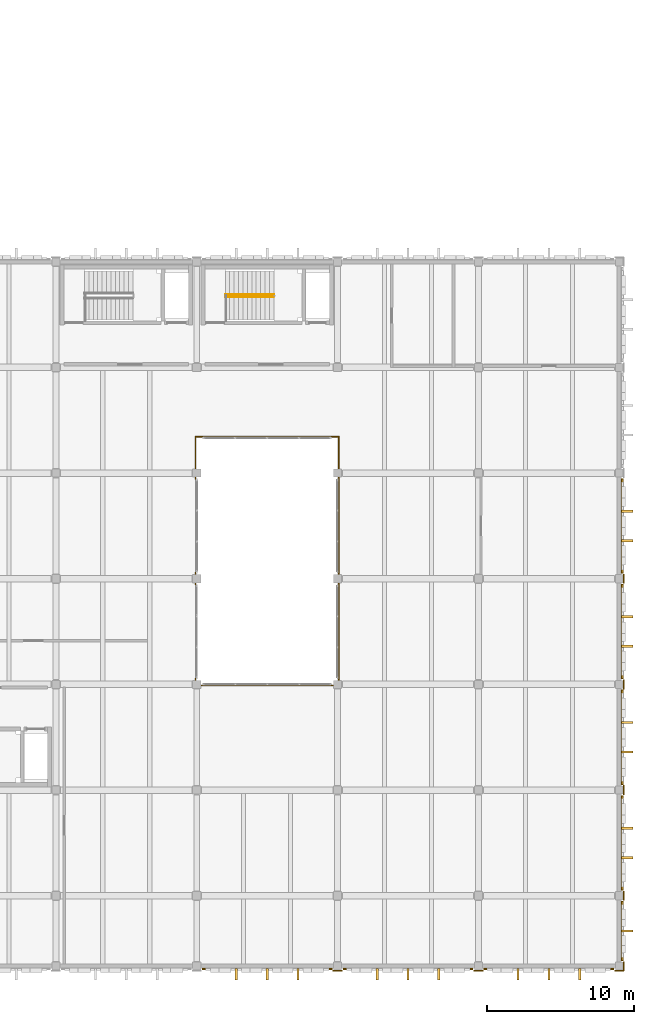
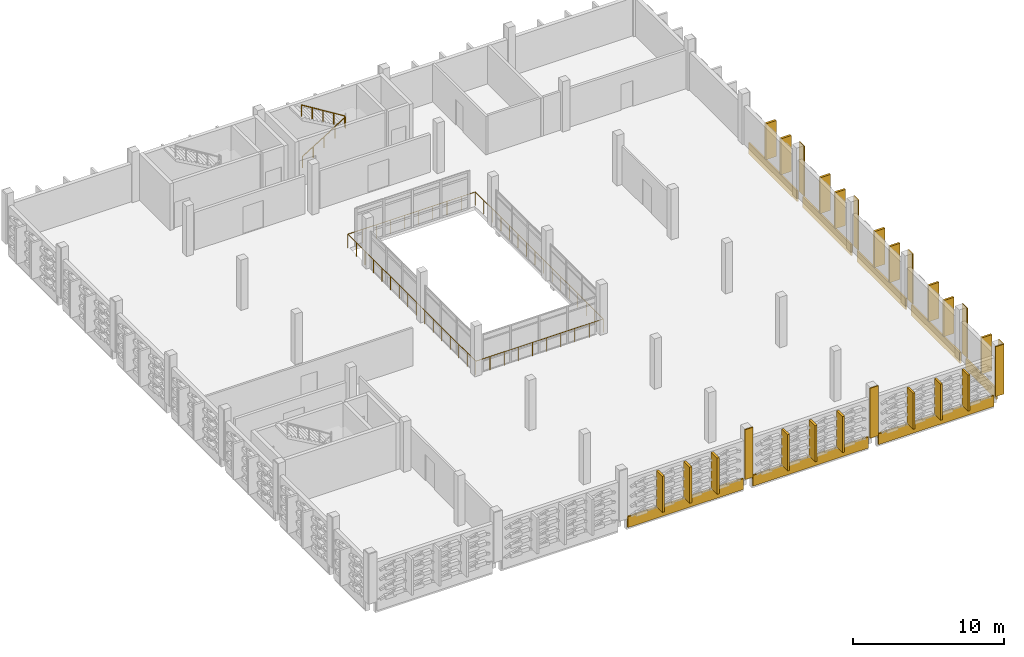
# One storey, part 69 of 72: 34 coverings, 4 railings.
"""IFC4 building model written with IfcOpenShell, lengths in metres."""

from ifc_helpers import new_model, si_unit, direction, frame, origin, origin_2d, place, context, subcontext, project, spatial, rectangle, circle, extrude, material, layer, layer_set, type_object, element, save


model = new_model("IFC4")

# Units and contexts
model_context = context("Model", 3, precision=1e-05, world=origin(), true_north=direction((0.0, 1.0)))
body_context = subcontext(model_context, "Body", "Model", "MODEL_VIEW")
ifc_project = project(units=[si_unit("LENGTHUNIT", "METRE"), si_unit("AREAUNIT", "SQUARE_METRE"), si_unit("VOLUMEUNIT", "CUBIC_METRE"), si_unit("PLANEANGLEUNIT", "RADIAN"), si_unit("MASSUNIT", "GRAM", prefix="KILO")], contexts=[model_context])

# Site, building, storey
site_placement = place(None, origin())
site = spatial("IfcSite", under=ifc_project, at=site_placement, CompositionType="ELEMENT")
building_placement = place(site_placement, origin())
building = spatial("IfcBuilding", under=site, at=building_placement, Name="Asteropetra Specialist Clinic", CompositionType="ELEMENT")
storey_placement = place(building_placement, frame((0.0, 0.0, 12.580078125)))
storey = spatial("IfcBuildingStorey", under=building, at=storey_placement, Name="L03", CompositionType="ELEMENT", Elevation=12.580078125)

# Coverings
ifc_material_1 = material(Name="Chevron sage")
ifc_layer_1 = layer(ifc_material_1, 0.1201171875)
ifc_layer_set_1 = layer_set([ifc_layer_1], Name="Chevron sage")
covering_type_1 = type_object("IfcCoveringType", Name="CLD-AEG-SAGE", PredefinedType="CLADDING", material=ifc_layer_set_1)
for number, where, z_axis, x_axis, name in (
    (1, (129.60009765625, -0.1875, -0.800048828125), (0.0, 0.0, 1.0), (1.0, 0.0, 0.0), "Chevron Spandrel Band CV-2279"),
    (2, (139.199951171875, -0.1875, -0.800048828125), (0.0, 0.0, 1.0), (1.0, 0.0, 0.0), "Chevron Spandrel Band CV-2281"),
    (3, (148.800048828125, -0.1875, -0.800048828125), (0.0, 0.0, 1.0), (1.0, 0.0, 0.0), "Chevron Spandrel Band CV-2283"),
):
    element("IfcCovering", number, at=place(storey_placement, frame(where, z_axis=z_axis, x_axis=x_axis)), inside=storey, type_object=covering_type_1, Name=name, PredefinedType="CLADDING", context=body_context, shape_type="SweptSolid", body=[
        extrude(rectangle(XDim=8.85009765625, YDim=0.1201171875, at=origin_2d()), origin(), (0.0, 0.0, 1.0), 0.8798828125),
    ])
covering_placement = place(storey_placement, frame((153.78759765625, 2.39990234375, -0.800048828125), z_axis=(0.0, 0.0, 1.0), x_axis=(1.0, 0.0, 0.0)))
element("IfcCovering", 4, at=covering_placement, inside=storey, type_object=covering_type_1, Name="Chevron Spandrel Band CV-2286", PredefinedType="CLADDING", context=body_context, shape_type="SweptSolid", body=[
    extrude(rectangle(XDim=0.1201171875, YDim=4.050048828125, at=origin_2d()), origin(), (0.0, 0.0, 1.0), 0.8798828125),
])
for number, where, z_axis, x_axis, name in (
    (5, (153.78759765625, 8.39990234375, -0.800048828125), (0.0, 0.0, 1.0), (1.0, 0.0, 0.0), "Chevron Spandrel Band CV-2288"),
    (6, (153.78759765625, 15.60009765625, -0.800048828125), (0.0, 0.0, 1.0), (1.0, 0.0, 0.0), "Chevron Spandrel Band CV-2290"),
    (7, (153.78759765625, 22.800048828125, -0.800048828125), (0.0, 0.0, 1.0), (1.0, 0.0, 0.0), "Chevron Spandrel Band CV-2292"),
    (8, (153.78759765625, 30.0, -0.800048828125), (0.0, 0.0, 1.0), (1.0, 0.0, 0.0), "Chevron Spandrel Band CV-2294"),
):
    element("IfcCovering", number, at=place(storey_placement, frame(where, z_axis=z_axis, x_axis=x_axis)), inside=storey, type_object=covering_type_1, Name=name, PredefinedType="CLADDING", context=body_context, shape_type="SweptSolid", body=[
        extrude(rectangle(XDim=0.1201171875, YDim=6.449951171875, at=origin_2d()), origin(), (0.0, 0.0, 1.0), 0.8798828125),
    ])
ifc_material_2 = material(Name="Pentelic marble ashlar", Category="masonry")
ifc_layer_2 = layer(ifc_material_2, 0.159912109375)
ifc_layer_set_2 = layer_set([ifc_layer_2], Name="Pentelic marble ashlar")
covering_type_2 = type_object("IfcCoveringType", Name="CRN-ENTAB-600", PredefinedType="MOLDING", material=ifc_layer_set_2)
for number, where, z_axis, x_axis, name in (
    (9, (134.39990234375, -0.306884765625, 0.02001953125), (0.0, 0.0, 1.0), (1.0, 0.0, 0.0), "Neoclassical Pilaster Facing CM-1151"),
    (10, (144.0, -0.306884765625, 0.02001953125), (0.0, 0.0, 1.0), (1.0, 0.0, 0.0), "Neoclassical Pilaster Facing CM-1153"),
    (11, (153.60009765625, -0.306884765625, 0.02001953125), (0.0, 0.0, 1.0), (1.0, 0.0, 0.0), "Neoclassical Pilaster Facing CM-1155"),
):
    element("IfcCovering", number, at=place(storey_placement, frame(where, z_axis=z_axis, x_axis=x_axis)), inside=storey, type_object=covering_type_2, Name=name, PredefinedType="MOLDING", context=body_context, shape_type="SweptSolid", body=[
        extrude(rectangle(XDim=0.6298828125, YDim=0.080078125, at=origin_2d()), origin(), (0.0, 0.0, 1.0), 4.0400390625),
    ])
for number, where, z_axis, x_axis, name in (
    (12, (153.906982421875, 0.0, 0.02001953125), (0.0, 0.0, 1.0), (1.0, 0.0, 0.0), "Neoclassical Pilaster Facing CM-1156"),
    (13, (153.906982421875, 4.800048828125, 0.02001953125), (0.0, 0.0, 1.0), (1.0, 0.0, 0.0), "Neoclassical Pilaster Facing CM-1157"),
    (14, (153.906982421875, 12.0, 0.02001953125), (0.0, 0.0, 1.0), (1.0, 0.0, 0.0), "Neoclassical Pilaster Facing CM-1158"),
    (15, (153.906982421875, 19.199951171875, 0.02001953125), (0.0, 0.0, 1.0), (1.0, 0.0, 0.0), "Neoclassical Pilaster Facing CM-1159"),
    (16, (153.906982421875, 26.39990234375, 0.02001953125), (0.0, 0.0, 1.0), (1.0, 0.0, 0.0), "Neoclassical Pilaster Facing CM-1160"),
):
    element("IfcCovering", number, at=place(storey_placement, frame(where, z_axis=z_axis, x_axis=x_axis)), inside=storey, type_object=covering_type_2, Name=name, PredefinedType="MOLDING", context=body_context, shape_type="SweptSolid", body=[
        extrude(rectangle(XDim=0.080078125, YDim=0.6298828125, at=origin_2d()), origin(), (0.0, 0.0, 1.0), 4.0400390625),
    ])
ifc_material_3 = material(Name="Pentelic marble solar fin", Category="masonry")
ifc_layer_3 = layer(ifc_material_3, 0.080078125)
ifc_layer_set_3 = layer_set([ifc_layer_3], Name="Pentelic marble solar fin")
covering_type_3 = type_object("IfcCoveringType", Name="FIN-SOLAR-800", PredefinedType="MOLDING", material=ifc_layer_set_3)
for number, where, z_axis, x_axis, name in (
    (17, (127.49755859375, -0.54248046875, 0.070068359375), (0.0, 0.0, 1.0), (1.0, 0.0, 0.0), "Solar Shading Fin FN-0228"),
    (18, (129.60009765625, -0.54248046875, 0.070068359375), (0.0, 0.0, 1.0), (1.0, 0.0, 0.0), "Solar Shading Fin FN-0229"),
    (19, (131.702392578125, -0.54248046875, 0.070068359375), (0.0, 0.0, 1.0), (1.0, 0.0, 0.0), "Solar Shading Fin FN-0230"),
    (20, (137.097412109375, -0.54248046875, 0.070068359375), (0.0, 0.0, 1.0), (1.0, 0.0, 0.0), "Solar Shading Fin FN-0234"),
    (21, (139.199951171875, -0.54248046875, 0.070068359375), (0.0, 0.0, 1.0), (1.0, 0.0, 0.0), "Solar Shading Fin FN-0235"),
    (22, (141.302490234375, -0.54248046875, 0.070068359375), (0.0, 0.0, 1.0), (1.0, 0.0, 0.0), "Solar Shading Fin FN-0236"),
    (23, (146.697509765625, -0.54248046875, 0.070068359375), (0.0, 0.0, 1.0), (1.0, 0.0, 0.0), "Solar Shading Fin FN-0240"),
    (24, (148.800048828125, -0.54248046875, 0.070068359375), (0.0, 0.0, 1.0), (1.0, 0.0, 0.0), "Solar Shading Fin FN-0241"),
    (25, (150.902587890625, -0.54248046875, 0.070068359375), (0.0, 0.0, 1.0), (1.0, 0.0, 0.0), "Solar Shading Fin FN-0242"),
):
    element("IfcCovering", number, at=place(storey_placement, frame(where, z_axis=z_axis, x_axis=x_axis)), inside=storey, type_object=covering_type_3, Name=name, PredefinedType="MOLDING", context=body_context, shape_type="SweptSolid", body=[
        extrude(rectangle(XDim=0.159912109375, YDim=0.800048828125, at=origin_2d()), origin(), (0.0, 0.0, 1.0), 2.919921875),
    ])
for number, where, z_axis, x_axis, name in (
    (26, (154.142578125, 2.39990234375, 0.070068359375), (0.0, 0.0, 1.0), (1.0, 0.0, 0.0), "Solar Shading Fin FN-0247"),
    (27, (154.142578125, 7.398193359375, 0.070068359375), (0.0, 0.0, 1.0), (1.0, 0.0, 0.0), "Solar Shading Fin FN-0250"),
    (28, (154.142578125, 9.401611328125, 0.070068359375), (0.0, 0.0, 1.0), (1.0, 0.0, 0.0), "Solar Shading Fin FN-0251"),
    (29, (154.142578125, 14.598388671875, 0.070068359375), (0.0, 0.0, 1.0), (1.0, 0.0, 0.0), "Solar Shading Fin FN-0254"),
    (30, (154.142578125, 16.601806640625, 0.070068359375), (0.0, 0.0, 1.0), (1.0, 0.0, 0.0), "Solar Shading Fin FN-0255"),
    (31, (154.142578125, 21.79833984375, 0.070068359375), (0.0, 0.0, 1.0), (1.0, 0.0, 0.0), "Solar Shading Fin FN-0258"),
    (32, (154.142578125, 23.8017578125, 0.070068359375), (0.0, 0.0, 1.0), (1.0, 0.0, 0.0), "Solar Shading Fin FN-0259"),
    (33, (154.142578125, 28.998291015625, 0.070068359375), (0.0, 0.0, 1.0), (1.0, 0.0, 0.0), "Solar Shading Fin FN-0262"),
    (34, (154.142578125, 31.001708984375, 0.070068359375), (0.0, 0.0, 1.0), (1.0, 0.0, 0.0), "Solar Shading Fin FN-0263"),
):
    element("IfcCovering", number, at=place(storey_placement, frame(where, z_axis=z_axis, x_axis=x_axis)), inside=storey, type_object=covering_type_3, Name=name, PredefinedType="MOLDING", context=body_context, shape_type="SweptSolid", body=[
        extrude(rectangle(XDim=0.800048828125, YDim=0.159912109375, at=origin_2d()), origin(), (0.0, 0.0, 1.0), 2.919921875),
    ])

# Railings
ifc_material_4 = material(Name="Powder-coated Steel S355 guardrail", Category="steel")
railing_type_1 = type_object("IfcRailingType", Name="GRD-EXT-1120", PredefinedType="GUARDRAIL", material=ifc_material_4)
railing_1_placement = place(storey_placement, frame((124.719970703125, 19.1201171875, 0.0)))
element("IfcRailing", 35, at=railing_1_placement, inside=storey, type_object=railing_type_1, Name="Perimeter Guard GRD-CT-L03-09A", PredefinedType="GUARDRAIL", context=body_context, shape_type="SweptSolid", body=[
    extrude(circle(Radius=0.02392578125, at=origin_2d()), frame((0.0, 0.0, 1.09619140625), z_axis=(1.0, 0.0, 0.0), x_axis=(0.0, 1.0, 0.0)), (0.0, 0.0, 1.0), 9.760009765625),
    extrude(circle(Radius=0.02392578125, at=origin_2d()), frame((9.760009765625, 0.0, 1.09619140625), z_axis=(0.0, 1.0, 0.0), x_axis=(-1.0, 0.0, 0.0)), (0.0, 0.0, 1.0), 16.9599609375),
    extrude(circle(Radius=0.02099609375, at=origin_2d()), origin(), (0.0, 0.0, 1.0), 1.072021484375),
    extrude(circle(Radius=0.02099609375, at=origin_2d()), frame((1.08447265625, 0.0, 0.0)), (0.0, 0.0, 1.0), 1.072021484375),
    extrude(circle(Radius=0.02099609375, at=origin_2d()), frame((2.1689453125, 0.0, 0.0)), (0.0, 0.0, 1.0), 1.072021484375),
    extrude(circle(Radius=0.02099609375, at=origin_2d()), frame((3.25341796875, 0.0, 0.0)), (0.0, 0.0, 1.0), 1.072021484375),
    extrude(circle(Radius=0.02099609375, at=origin_2d()), frame((4.337890625, 0.0, 0.0)), (0.0, 0.0, 1.0), 1.072021484375),
    extrude(circle(Radius=0.02099609375, at=origin_2d()), frame((5.422119140625, 0.0, 0.0)), (0.0, 0.0, 1.0), 1.072021484375),
    extrude(circle(Radius=0.02099609375, at=origin_2d()), frame((6.506591796875, 0.0, 0.0)), (0.0, 0.0, 1.0), 1.072021484375),
    extrude(circle(Radius=0.02099609375, at=origin_2d()), frame((7.591064453125, 0.0, 0.0)), (0.0, 0.0, 1.0), 1.072021484375),
    extrude(circle(Radius=0.02099609375, at=origin_2d()), frame((8.675537109375, 0.0, 0.0)), (0.0, 0.0, 1.0), 1.072021484375),
    extrude(circle(Radius=0.02099609375, at=origin_2d()), frame((9.760009765625, 0.0, 0.0)), (0.0, 0.0, 1.0), 1.072021484375),
    extrude(circle(Radius=0.02099609375, at=origin_2d()), frame((9.760009765625, 1.130615234375, 0.0)), (0.0, 0.0, 1.0), 1.072021484375),
    extrude(circle(Radius=0.02099609375, at=origin_2d()), frame((9.760009765625, 2.26123046875, 0.0)), (0.0, 0.0, 1.0), 1.072021484375),
    extrude(circle(Radius=0.02099609375, at=origin_2d()), frame((9.760009765625, 3.39208984375, 0.0)), (0.0, 0.0, 1.0), 1.072021484375),
    extrude(circle(Radius=0.02099609375, at=origin_2d()), frame((9.760009765625, 4.522705078125, 0.0)), (0.0, 0.0, 1.0), 1.072021484375),
    extrude(circle(Radius=0.02099609375, at=origin_2d()), frame((9.760009765625, 5.6533203125, 0.0)), (0.0, 0.0, 1.0), 1.072021484375),
    extrude(circle(Radius=0.02099609375, at=origin_2d()), frame((9.760009765625, 6.783935546875, 0.0)), (0.0, 0.0, 1.0), 1.072021484375),
    extrude(circle(Radius=0.02099609375, at=origin_2d()), frame((9.760009765625, 7.91455078125, 0.0)), (0.0, 0.0, 1.0), 1.072021484375),
    extrude(circle(Radius=0.02099609375, at=origin_2d()), frame((9.760009765625, 9.04541015625, 0.0)), (0.0, 0.0, 1.0), 1.072021484375),
    extrude(circle(Radius=0.02099609375, at=origin_2d()), frame((9.760009765625, 10.176025390625, 0.0)), (0.0, 0.0, 1.0), 1.072021484375),
    extrude(circle(Radius=0.02099609375, at=origin_2d()), frame((9.760009765625, 11.306640625, 0.0)), (0.0, 0.0, 1.0), 1.072021484375),
    extrude(circle(Radius=0.02099609375, at=origin_2d()), frame((9.760009765625, 12.437255859375, 0.0)), (0.0, 0.0, 1.0), 1.072021484375),
    extrude(circle(Radius=0.02099609375, at=origin_2d()), frame((9.760009765625, 13.56787109375, 0.0)), (0.0, 0.0, 1.0), 1.072021484375),
    extrude(circle(Radius=0.02099609375, at=origin_2d()), frame((9.760009765625, 14.69873046875, 0.0)), (0.0, 0.0, 1.0), 1.072021484375),
    extrude(circle(Radius=0.02099609375, at=origin_2d()), frame((9.760009765625, 15.829345703125, 0.0)), (0.0, 0.0, 1.0), 1.072021484375),
    extrude(circle(Radius=0.02099609375, at=origin_2d()), frame((9.760009765625, 16.9599609375, 0.0)), (0.0, 0.0, 1.0), 1.072021484375),
])
railing_2_placement = place(storey_placement, frame((134.47998046875, 36.080078125, 0.0)))
element("IfcRailing", 36, at=railing_2_placement, inside=storey, type_object=railing_type_1, Name="Perimeter Guard GRD-CT-L03-09B", PredefinedType="GUARDRAIL", context=body_context, shape_type="SweptSolid", body=[
    extrude(circle(Radius=0.02392578125, at=origin_2d()), frame((0.0, 0.0, 1.09619140625), z_axis=(-1.0, 0.0, 0.0), x_axis=(0.0, -1.0, 0.0)), (0.0, 0.0, 1.0), 9.760009765625),
    extrude(circle(Radius=0.02392578125, at=origin_2d()), frame((-9.760009765625, 0.0, 1.09619140625), z_axis=(0.0, -1.0, 0.0), x_axis=(1.0, 0.0, 0.0)), (0.0, 0.0, 1.0), 16.9599609375),
    extrude(circle(Radius=0.02099609375, at=origin_2d()), origin(), (0.0, 0.0, 1.0), 1.072021484375),
    extrude(circle(Radius=0.02099609375, at=origin_2d()), frame((-1.08447265625, 0.0, 0.0)), (0.0, 0.0, 1.0), 1.072021484375),
    extrude(circle(Radius=0.02099609375, at=origin_2d()), frame((-2.1689453125, 0.0, 0.0)), (0.0, 0.0, 1.0), 1.072021484375),
    extrude(circle(Radius=0.02099609375, at=origin_2d()), frame((-3.25341796875, 0.0, 0.0)), (0.0, 0.0, 1.0), 1.072021484375),
    extrude(circle(Radius=0.02099609375, at=origin_2d()), frame((-4.337890625, 0.0, 0.0)), (0.0, 0.0, 1.0), 1.072021484375),
    extrude(circle(Radius=0.02099609375, at=origin_2d()), frame((-5.422119140625, 0.0, 0.0)), (0.0, 0.0, 1.0), 1.072021484375),
    extrude(circle(Radius=0.02099609375, at=origin_2d()), frame((-6.506591796875, 0.0, 0.0)), (0.0, 0.0, 1.0), 1.072021484375),
    extrude(circle(Radius=0.02099609375, at=origin_2d()), frame((-7.591064453125, 0.0, 0.0)), (0.0, 0.0, 1.0), 1.072021484375),
    extrude(circle(Radius=0.02099609375, at=origin_2d()), frame((-8.675537109375, 0.0, 0.0)), (0.0, 0.0, 1.0), 1.072021484375),
    extrude(circle(Radius=0.02099609375, at=origin_2d()), frame((-9.760009765625, 0.0, 0.0)), (0.0, 0.0, 1.0), 1.072021484375),
    extrude(circle(Radius=0.02099609375, at=origin_2d()), frame((-9.760009765625, -1.130615234375, 0.0)), (0.0, 0.0, 1.0), 1.072021484375),
    extrude(circle(Radius=0.02099609375, at=origin_2d()), frame((-9.760009765625, -2.26123046875, 0.0)), (0.0, 0.0, 1.0), 1.072021484375),
    extrude(circle(Radius=0.02099609375, at=origin_2d()), frame((-9.760009765625, -3.39208984375, 0.0)), (0.0, 0.0, 1.0), 1.072021484375),
    extrude(circle(Radius=0.02099609375, at=origin_2d()), frame((-9.760009765625, -4.522705078125, 0.0)), (0.0, 0.0, 1.0), 1.072021484375),
    extrude(circle(Radius=0.02099609375, at=origin_2d()), frame((-9.760009765625, -5.6533203125, 0.0)), (0.0, 0.0, 1.0), 1.072021484375),
    extrude(circle(Radius=0.02099609375, at=origin_2d()), frame((-9.760009765625, -6.783935546875, 0.0)), (0.0, 0.0, 1.0), 1.072021484375),
    extrude(circle(Radius=0.02099609375, at=origin_2d()), frame((-9.760009765625, -7.91455078125, 0.0)), (0.0, 0.0, 1.0), 1.072021484375),
    extrude(circle(Radius=0.02099609375, at=origin_2d()), frame((-9.760009765625, -9.04541015625, 0.0)), (0.0, 0.0, 1.0), 1.072021484375),
    extrude(circle(Radius=0.02099609375, at=origin_2d()), frame((-9.760009765625, -10.176025390625, 0.0)), (0.0, 0.0, 1.0), 1.072021484375),
    extrude(circle(Radius=0.02099609375, at=origin_2d()), frame((-9.760009765625, -11.306640625, 0.0)), (0.0, 0.0, 1.0), 1.072021484375),
    extrude(circle(Radius=0.02099609375, at=origin_2d()), frame((-9.760009765625, -12.437255859375, 0.0)), (0.0, 0.0, 1.0), 1.072021484375),
    extrude(circle(Radius=0.02099609375, at=origin_2d()), frame((-9.760009765625, -13.56787109375, 0.0)), (0.0, 0.0, 1.0), 1.072021484375),
    extrude(circle(Radius=0.02099609375, at=origin_2d()), frame((-9.760009765625, -14.69873046875, 0.0)), (0.0, 0.0, 1.0), 1.072021484375),
    extrude(circle(Radius=0.02099609375, at=origin_2d()), frame((-9.760009765625, -15.829345703125, 0.0)), (0.0, 0.0, 1.0), 1.072021484375),
    extrude(circle(Radius=0.02099609375, at=origin_2d()), frame((-9.760009765625, -16.9599609375, 0.0)), (0.0, 0.0, 1.0), 1.072021484375),
])
ifc_material_5 = material(Name="Brushed stainless steel handrail", Category="steel")
railing_type_2 = type_object("IfcRailingType", Name="HRL-STAIR-920", PredefinedType="HANDRAIL", material=ifc_material_5)
railing_3_placement = place(storey_placement, frame((126.75, 45.6201171875, 0.0)))
element("IfcRailing", 37, at=railing_3_placement, inside=storey, type_object=railing_type_2, Name="Stair Handrail ST09-L03 F1", PredefinedType="HANDRAIL", context=body_context, shape_type="SweptSolid", body=[
    extrude(circle(Radius=0.02392578125, at=origin_2d()), frame((0.0, 0.0, 0.89599609375), z_axis=(0.850593546085, 0.0, 0.525823753132), x_axis=(0.0, 1.0, 0.0)), (0.0, 0.0, 1.0), 3.879638671875),
    extrude(circle(Radius=0.02099609375, at=origin_2d()), origin(), (0.0, 0.0, 1.0), 0.871826171875),
    extrude(circle(Radius=0.02099609375, at=origin_2d()), frame((0.824951171875, 0.0, 0.510009765625)), (0.0, 0.0, 1.0), 0.871826171875),
    extrude(circle(Radius=0.02099609375, at=origin_2d()), frame((1.64990234375, 0.0, 1.02001953125)), (0.0, 0.0, 1.0), 0.871826171875),
    extrude(circle(Radius=0.02099609375, at=origin_2d()), frame((2.47509765625, 0.0, 1.530029296875)), (0.0, 0.0, 1.0), 0.871826171875),
    extrude(circle(Radius=0.02099609375, at=origin_2d()), frame((3.300048828125, 0.0, 2.0400390625)), (0.0, 0.0, 1.0), 0.871826171875),
])
railing_4_placement = place(storey_placement, frame((130.050048828125, 45.760009765625, 2.0400390625)))
element("IfcRailing", 38, at=railing_4_placement, inside=storey, type_object=railing_type_2, Name="Stair Handrail ST09-L03 F2", PredefinedType="HANDRAIL", context=body_context, shape_type="SweptSolid", body=[
    extrude(circle(Radius=0.02392578125, at=origin_2d()), frame((0.0, 0.0, 0.89599609375), z_axis=(-0.850621690979, 0.0, 0.525778222101), x_axis=(0.0, -1.0, 0.0)), (0.0, 0.0, 1.0), 3.879638671875),
    extrude(circle(Radius=0.02099609375, at=origin_2d()), origin(), (0.0, 0.0, 1.0), 0.871826171875),
    extrude(circle(Radius=0.02099609375, at=origin_2d()), frame((-0.824951171875, 0.0, 0.510009765625)), (0.0, 0.0, 1.0), 0.871826171875),
    extrude(circle(Radius=0.02099609375, at=origin_2d()), frame((-1.64990234375, 0.0, 1.02001953125)), (0.0, 0.0, 1.0), 0.871826171875),
    extrude(circle(Radius=0.02099609375, at=origin_2d()), frame((-2.47509765625, 0.0, 1.52978515625)), (0.0, 0.0, 1.0), 0.871826171875),
    extrude(circle(Radius=0.02099609375, at=origin_2d()), frame((-3.300048828125, 0.0, 2.039794921875)), (0.0, 0.0, 1.0), 0.871826171875),
])

save(model, "model.ifc")
